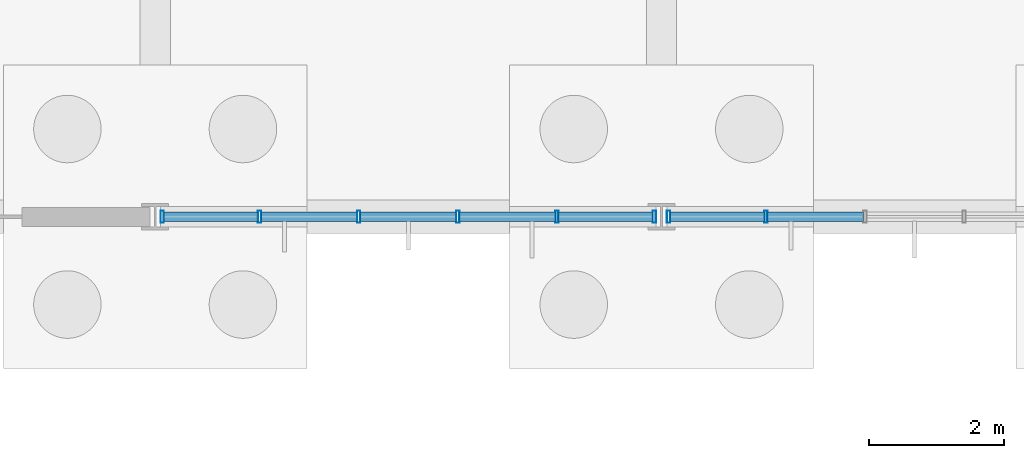
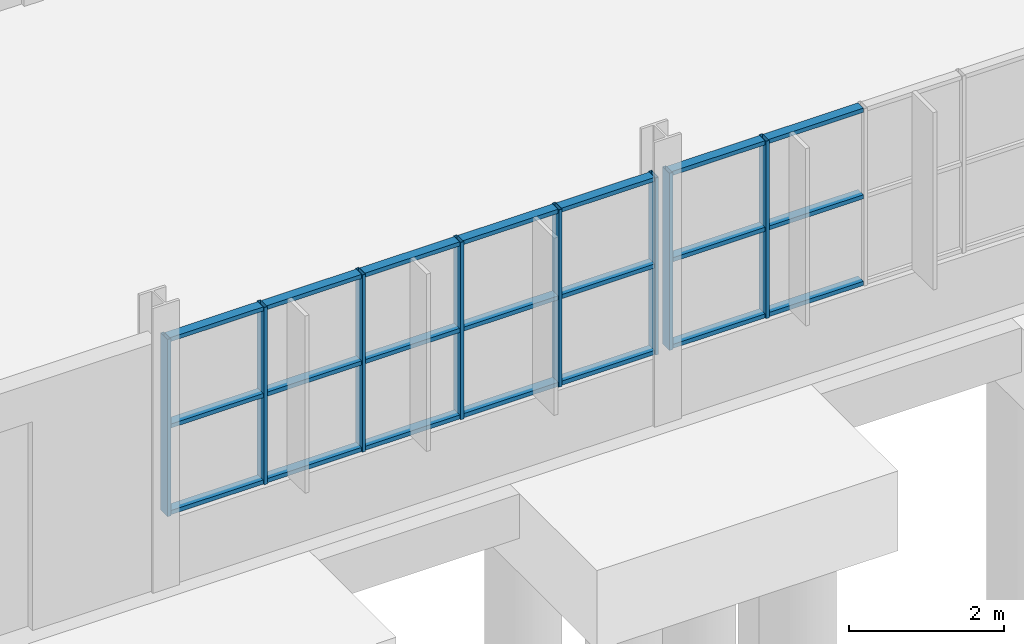
# One storey, part 50 of 136: 29 members, 2 elements without a shape of their own.
"""IFC4 building model written with IfcOpenShell, lengths in metres."""

from ifc_helpers import new_model, si_unit, direction, frame, origin, origin_2d, place, context, subcontext, project, spatial, hollow_rectangle, extrude, material, layer, layer_set, material_profile, profile_set, type_object, element, aggregate, save


model = new_model("IFC4")

# Units and contexts
model_context = context("Model", 3, precision=1e-05, world=origin(), true_north=direction((0.0, 1.0)))
body_context = subcontext(model_context, "Body", "Model", "MODEL_VIEW")
ifc_project = project(units=[si_unit("LENGTHUNIT", "METRE"), si_unit("AREAUNIT", "SQUARE_METRE"), si_unit("VOLUMEUNIT", "CUBIC_METRE"), si_unit("PLANEANGLEUNIT", "RADIAN"), si_unit("MASSUNIT", "GRAM", prefix="KILO")], contexts=[model_context])

# Site, building, storey
site_placement = place(None, origin())
site = spatial("IfcSite", under=ifc_project, at=site_placement, CompositionType="ELEMENT")
building_placement = place(site_placement, origin())
building = spatial("IfcBuilding", under=site, at=building_placement, Name="Solvenia Promenade Tram Depot", CompositionType="ELEMENT")
storey_placement = place(building_placement, origin())
storey = spatial("IfcBuildingStorey", under=building, at=storey_placement, Name="L00", CompositionType="ELEMENT", Elevation=0.0)

# Curtain wall, members
ifc_material = material(Name="Anodized aluminium AW-6063 T6", Category="aluminium")
ifc_layer = layer(ifc_material, 0.14990234375, Name="Anodized aluminium AW-6063 T6", Category="aluminium")
ifc_layer_set = layer_set([ifc_layer], Name="Anodized aluminium AW-6063 T6")
curtain_wall_type = type_object("IfcCurtainWallType", Name="CW-Court-1500", PredefinedType="NOTDEFINED", material=ifc_layer_set)
curtain_wall_1_placement = place(storey_placement, origin())
curtain_wall_1 = element("IfcCurtainWall", 1, at=curtain_wall_1_placement, inside=storey, type_object=curtain_wall_type, Name="Curtain Wall CW-V1S0-02", PredefinedType="NOTDEFINED")
ifc_material_profile_1 = material_profile(ifc_material, hollow_rectangle(XDim=0.179931640625, YDim=0.050048828125, WallThickness=0.00390625, at=origin_2d()), Name="ALU-M2", Category="aluminium")
ifc_profile_set_1 = profile_set([ifc_material_profile_1], Name="Anodized aluminium AW-6063 T6")
member_type_1 = type_object("IfcMemberType", Name="CWM-Mullion-2", PredefinedType="MULLION", material=ifc_profile_set_1)
member_1_placement = place(storey_placement, frame((52.60498046875, 66.0, 1.050048828125), z_axis=(0.0, 0.0, 1.0), x_axis=(0.0, 1.0, 0.0)))
member_1 = element("IfcMember", 2, at=member_1_placement, type_object=member_type_1, Name="CW-5 mullion 1", PredefinedType="MULLION", context=body_context, shape_type="SweptSolid", body=[
    extrude(hollow_rectangle(XDim=0.179931640625, YDim=0.050048828125, WallThickness=0.00390625, at=origin_2d()), origin(), (0.0, 0.0, 1.0), 2.800048828125),
])
member_2_placement = place(storey_placement, frame((54.048095703125, 66.0, 1.050048828125), z_axis=(0.0, 0.0, 1.0), x_axis=(0.0, 1.0, 0.0)))
member_2 = element("IfcMember", 3, at=member_2_placement, type_object=member_type_1, Name="CW-5 mullion 2", PredefinedType="MULLION", context=body_context, shape_type="SweptSolid", body=[
    extrude(hollow_rectangle(XDim=0.179931640625, YDim=0.050048828125, WallThickness=0.00390625, at=origin_2d()), origin(), (0.0, 0.0, 1.0), 2.800048828125),
])
member_3_placement = place(storey_placement, frame((55.51611328125, 66.0, 1.050048828125), z_axis=(0.0, 0.0, 1.0), x_axis=(0.0, 1.0, 0.0)))
member_3 = element("IfcMember", 4, at=member_3_placement, type_object=member_type_1, Name="CW-5 mullion 3", PredefinedType="MULLION", context=body_context, shape_type="SweptSolid", body=[
    extrude(hollow_rectangle(XDim=0.179931640625, YDim=0.050048828125, WallThickness=0.00390625, at=origin_2d()), origin(), (0.0, 0.0, 1.0), 2.800048828125),
])
member_4_placement = place(storey_placement, frame((56.98388671875, 66.0, 1.050048828125), z_axis=(0.0, 0.0, 1.0), x_axis=(0.0, 1.0, 0.0)))
member_4 = element("IfcMember", 5, at=member_4_placement, type_object=member_type_1, Name="CW-5 mullion 4", PredefinedType="MULLION", context=body_context, shape_type="SweptSolid", body=[
    extrude(hollow_rectangle(XDim=0.179931640625, YDim=0.050048828125, WallThickness=0.00390625, at=origin_2d()), origin(), (0.0, 0.0, 1.0), 2.800048828125),
])
member_5_placement = place(storey_placement, frame((58.451904296875, 66.0, 1.050048828125), z_axis=(0.0, 0.0, 1.0), x_axis=(0.0, 1.0, 0.0)))
member_5 = element("IfcMember", 6, at=member_5_placement, type_object=member_type_1, Name="CW-5 mullion 5", PredefinedType="MULLION", context=body_context, shape_type="SweptSolid", body=[
    extrude(hollow_rectangle(XDim=0.179931640625, YDim=0.050048828125, WallThickness=0.00390625, at=origin_2d()), origin(), (0.0, 0.0, 1.0), 2.800048828125),
])
member_6_placement = place(storey_placement, frame((59.89501953125, 66.0, 1.050048828125), z_axis=(0.0, 0.0, 1.0), x_axis=(0.0, 1.0, 0.0)))
member_6 = element("IfcMember", 7, at=member_6_placement, type_object=member_type_1, Name="CW-5 mullion 6", PredefinedType="MULLION", context=body_context, shape_type="SweptSolid", body=[
    extrude(hollow_rectangle(XDim=0.179931640625, YDim=0.050048828125, WallThickness=0.00390625, at=origin_2d()), origin(), (0.0, 0.0, 1.0), 2.800048828125),
])

curtain_wall_2_placement = place(storey_placement, origin())
curtain_wall_2 = element("IfcCurtainWall", 8, at=curtain_wall_2_placement, inside=storey, type_object=curtain_wall_type, Name="Curtain Wall CW-V1S0-03", PredefinedType="NOTDEFINED")
member_7_placement = place(storey_placement, frame((60.10498046875, 66.0, 1.050048828125), z_axis=(0.0, 0.0, 1.0), x_axis=(0.0, 1.0, 0.0)))
member_7 = element("IfcMember", 9, at=member_7_placement, type_object=member_type_1, Name="CW-5 mullion 1", PredefinedType="MULLION", context=body_context, shape_type="SweptSolid", body=[
    extrude(hollow_rectangle(XDim=0.179931640625, YDim=0.050048828125, WallThickness=0.00390625, at=origin_2d()), origin(), (0.0, 0.0, 1.0), 2.800048828125),
])
member_8_placement = place(storey_placement, frame((61.548095703125, 66.0, 1.050048828125), z_axis=(0.0, 0.0, 1.0), x_axis=(0.0, 1.0, 0.0)))
member_8 = element("IfcMember", 10, at=member_8_placement, type_object=member_type_1, Name="CW-5 mullion 2", PredefinedType="MULLION", context=body_context, shape_type="SweptSolid", body=[
    extrude(hollow_rectangle(XDim=0.179931640625, YDim=0.050048828125, WallThickness=0.00390625, at=origin_2d()), origin(), (0.0, 0.0, 1.0), 2.800048828125),
])

# Member
ifc_material_profile_2 = material_profile(ifc_material, hollow_rectangle(XDim=0.139892578125, YDim=0.06494140625, WallThickness=0.00390625, at=origin_2d()), Name="ALU-T2", Category="aluminium")
ifc_profile_set_2 = profile_set([ifc_material_profile_2], Name="Anodized aluminium AW-6063 T6")
member_type_2 = type_object("IfcMemberType", Name="CWT-Transom-2", PredefinedType="USERDEFINED", material=ifc_profile_set_2)
member_9_placement = place(storey_placement, frame((52.6298828125, 66.0, 1.08251953125), z_axis=(1.0, 0.0, 0.0), x_axis=(0.0, 1.0, 0.0)))
member_9 = element("IfcMember", 11, at=member_9_placement, type_object=member_type_2, Name="CW-5 transom 1.1", ObjectType="TRANSOM", PredefinedType="USERDEFINED", context=body_context, shape_type="SweptSolid", body=[
    extrude(hollow_rectangle(XDim=0.139892578125, YDim=0.06494140625, WallThickness=0.00390625, at=origin_2d()), origin(), (0.0, 0.0, 1.0), 1.39306640625),
])

member_10_placement = place(storey_placement, frame((52.6298828125, 66.0, 2.449951171875), z_axis=(1.0, 0.0, 0.0), x_axis=(0.0, 1.0, 0.0)))
member_10 = element("IfcMember", 12, at=member_10_placement, type_object=member_type_2, Name="CW-5 transom 1.2", ObjectType="TRANSOM", PredefinedType="USERDEFINED", context=body_context, shape_type="SweptSolid", body=[
    extrude(hollow_rectangle(XDim=0.139892578125, YDim=0.06494140625, WallThickness=0.00390625, at=origin_2d()), origin(), (0.0, 0.0, 1.0), 1.39306640625),
])

member_11_placement = place(storey_placement, frame((52.6298828125, 66.0, 3.8173828125), z_axis=(1.0, 0.0, 0.0), x_axis=(0.0, 1.0, 0.0)))
member_11 = element("IfcMember", 13, at=member_11_placement, type_object=member_type_2, Name="CW-5 transom 1.3", ObjectType="TRANSOM", PredefinedType="USERDEFINED", context=body_context, shape_type="SweptSolid", body=[
    extrude(hollow_rectangle(XDim=0.139892578125, YDim=0.06494140625, WallThickness=0.00390625, at=origin_2d()), origin(), (0.0, 0.0, 1.0), 1.39306640625),
])

member_12_placement = place(storey_placement, frame((54.072998046875, 66.0, 1.08251953125), z_axis=(1.0, 0.0, 0.0), x_axis=(0.0, 1.0, 0.0)))
member_12 = element("IfcMember", 14, at=member_12_placement, type_object=member_type_2, Name="CW-5 transom 2.1", ObjectType="TRANSOM", PredefinedType="USERDEFINED", context=body_context, shape_type="SweptSolid", body=[
    extrude(hollow_rectangle(XDim=0.139892578125, YDim=0.06494140625, WallThickness=0.00390625, at=origin_2d()), origin(), (0.0, 0.0, 1.0), 1.41796875),
])

member_13_placement = place(storey_placement, frame((54.072998046875, 66.0, 2.449951171875), z_axis=(1.0, 0.0, 0.0), x_axis=(0.0, 1.0, 0.0)))
member_13 = element("IfcMember", 15, at=member_13_placement, type_object=member_type_2, Name="CW-5 transom 2.2", ObjectType="TRANSOM", PredefinedType="USERDEFINED", context=body_context, shape_type="SweptSolid", body=[
    extrude(hollow_rectangle(XDim=0.139892578125, YDim=0.06494140625, WallThickness=0.00390625, at=origin_2d()), origin(), (0.0, 0.0, 1.0), 1.41796875),
])

member_14_placement = place(storey_placement, frame((54.072998046875, 66.0, 3.8173828125), z_axis=(1.0, 0.0, 0.0), x_axis=(0.0, 1.0, 0.0)))
member_14 = element("IfcMember", 16, at=member_14_placement, type_object=member_type_2, Name="CW-5 transom 2.3", ObjectType="TRANSOM", PredefinedType="USERDEFINED", context=body_context, shape_type="SweptSolid", body=[
    extrude(hollow_rectangle(XDim=0.139892578125, YDim=0.06494140625, WallThickness=0.00390625, at=origin_2d()), origin(), (0.0, 0.0, 1.0), 1.41796875),
])

member_15_placement = place(storey_placement, frame((55.541015625, 66.0, 1.08251953125), z_axis=(1.0, 0.0, 0.0), x_axis=(0.0, 1.0, 0.0)))
member_15 = element("IfcMember", 17, at=member_15_placement, type_object=member_type_2, Name="CW-5 transom 3.1", ObjectType="TRANSOM", PredefinedType="USERDEFINED", context=body_context, shape_type="SweptSolid", body=[
    extrude(hollow_rectangle(XDim=0.139892578125, YDim=0.06494140625, WallThickness=0.00390625, at=origin_2d()), origin(), (0.0, 0.0, 1.0), 1.41796875),
])

member_16_placement = place(storey_placement, frame((55.541015625, 66.0, 2.449951171875), z_axis=(1.0, 0.0, 0.0), x_axis=(0.0, 1.0, 0.0)))
member_16 = element("IfcMember", 18, at=member_16_placement, type_object=member_type_2, Name="CW-5 transom 3.2", ObjectType="TRANSOM", PredefinedType="USERDEFINED", context=body_context, shape_type="SweptSolid", body=[
    extrude(hollow_rectangle(XDim=0.139892578125, YDim=0.06494140625, WallThickness=0.00390625, at=origin_2d()), origin(), (0.0, 0.0, 1.0), 1.41796875),
])

member_17_placement = place(storey_placement, frame((55.541015625, 66.0, 3.8173828125), z_axis=(1.0, 0.0, 0.0), x_axis=(0.0, 1.0, 0.0)))
member_17 = element("IfcMember", 19, at=member_17_placement, type_object=member_type_2, Name="CW-5 transom 3.3", ObjectType="TRANSOM", PredefinedType="USERDEFINED", context=body_context, shape_type="SweptSolid", body=[
    extrude(hollow_rectangle(XDim=0.139892578125, YDim=0.06494140625, WallThickness=0.00390625, at=origin_2d()), origin(), (0.0, 0.0, 1.0), 1.41796875),
])

member_18_placement = place(storey_placement, frame((57.009033203125, 66.0, 1.08251953125), z_axis=(1.0, 0.0, 0.0), x_axis=(0.0, 1.0, 0.0)))
member_18 = element("IfcMember", 20, at=member_18_placement, type_object=member_type_2, Name="CW-5 transom 4.1", ObjectType="TRANSOM", PredefinedType="USERDEFINED", context=body_context, shape_type="SweptSolid", body=[
    extrude(hollow_rectangle(XDim=0.139892578125, YDim=0.06494140625, WallThickness=0.00390625, at=origin_2d()), origin(), (0.0, 0.0, 1.0), 1.41796875),
])

member_19_placement = place(storey_placement, frame((57.009033203125, 66.0, 2.449951171875), z_axis=(1.0, 0.0, 0.0), x_axis=(0.0, 1.0, 0.0)))
member_19 = element("IfcMember", 21, at=member_19_placement, type_object=member_type_2, Name="CW-5 transom 4.2", ObjectType="TRANSOM", PredefinedType="USERDEFINED", context=body_context, shape_type="SweptSolid", body=[
    extrude(hollow_rectangle(XDim=0.139892578125, YDim=0.06494140625, WallThickness=0.00390625, at=origin_2d()), origin(), (0.0, 0.0, 1.0), 1.41796875),
])

member_20_placement = place(storey_placement, frame((57.009033203125, 66.0, 3.8173828125), z_axis=(1.0, 0.0, 0.0), x_axis=(0.0, 1.0, 0.0)))
member_20 = element("IfcMember", 22, at=member_20_placement, type_object=member_type_2, Name="CW-5 transom 4.3", ObjectType="TRANSOM", PredefinedType="USERDEFINED", context=body_context, shape_type="SweptSolid", body=[
    extrude(hollow_rectangle(XDim=0.139892578125, YDim=0.06494140625, WallThickness=0.00390625, at=origin_2d()), origin(), (0.0, 0.0, 1.0), 1.41796875),
])

member_21_placement = place(storey_placement, frame((58.47705078125, 66.0, 1.08251953125), z_axis=(1.0, 0.0, 0.0), x_axis=(0.0, 1.0, 0.0)))
member_21 = element("IfcMember", 23, at=member_21_placement, type_object=member_type_2, Name="CW-5 transom 5.1", ObjectType="TRANSOM", PredefinedType="USERDEFINED", context=body_context, shape_type="SweptSolid", body=[
    extrude(hollow_rectangle(XDim=0.139892578125, YDim=0.06494140625, WallThickness=0.00390625, at=origin_2d()), origin(), (0.0, 0.0, 1.0), 1.39306640625),
])

member_22_placement = place(storey_placement, frame((58.47705078125, 66.0, 2.449951171875), z_axis=(1.0, 0.0, 0.0), x_axis=(0.0, 1.0, 0.0)))
member_22 = element("IfcMember", 24, at=member_22_placement, type_object=member_type_2, Name="CW-5 transom 5.2", ObjectType="TRANSOM", PredefinedType="USERDEFINED", context=body_context, shape_type="SweptSolid", body=[
    extrude(hollow_rectangle(XDim=0.139892578125, YDim=0.06494140625, WallThickness=0.00390625, at=origin_2d()), origin(), (0.0, 0.0, 1.0), 1.39306640625),
])

member_23_placement = place(storey_placement, frame((58.47705078125, 66.0, 3.8173828125), z_axis=(1.0, 0.0, 0.0), x_axis=(0.0, 1.0, 0.0)))
member_23 = element("IfcMember", 25, at=member_23_placement, type_object=member_type_2, Name="CW-5 transom 5.3", ObjectType="TRANSOM", PredefinedType="USERDEFINED", context=body_context, shape_type="SweptSolid", body=[
    extrude(hollow_rectangle(XDim=0.139892578125, YDim=0.06494140625, WallThickness=0.00390625, at=origin_2d()), origin(), (0.0, 0.0, 1.0), 1.39306640625),
])

aggregate(curtain_wall_1, [member_1, member_2, member_3, member_4, member_5, member_6, member_9, member_10, member_11, member_12, member_13, member_14, member_15, member_16, member_17, member_18, member_19, member_20, member_21, member_22, member_23])

member_24_placement = place(storey_placement, frame((60.1298828125, 66.0, 1.08251953125), z_axis=(1.0, 0.0, 0.0), x_axis=(0.0, 1.0, 0.0)))
member_24 = element("IfcMember", 26, at=member_24_placement, type_object=member_type_2, Name="CW-5 transom 1.1", ObjectType="TRANSOM", PredefinedType="USERDEFINED", context=body_context, shape_type="SweptSolid", body=[
    extrude(hollow_rectangle(XDim=0.139892578125, YDim=0.06494140625, WallThickness=0.00390625, at=origin_2d()), origin(), (0.0, 0.0, 1.0), 1.39306640625),
])

member_25_placement = place(storey_placement, frame((60.1298828125, 66.0, 2.449951171875), z_axis=(1.0, 0.0, 0.0), x_axis=(0.0, 1.0, 0.0)))
member_25 = element("IfcMember", 27, at=member_25_placement, type_object=member_type_2, Name="CW-5 transom 1.2", ObjectType="TRANSOM", PredefinedType="USERDEFINED", context=body_context, shape_type="SweptSolid", body=[
    extrude(hollow_rectangle(XDim=0.139892578125, YDim=0.06494140625, WallThickness=0.00390625, at=origin_2d()), origin(), (0.0, 0.0, 1.0), 1.39306640625),
])

member_26_placement = place(storey_placement, frame((60.1298828125, 66.0, 3.8173828125), z_axis=(1.0, 0.0, 0.0), x_axis=(0.0, 1.0, 0.0)))
member_26 = element("IfcMember", 28, at=member_26_placement, type_object=member_type_2, Name="CW-5 transom 1.3", ObjectType="TRANSOM", PredefinedType="USERDEFINED", context=body_context, shape_type="SweptSolid", body=[
    extrude(hollow_rectangle(XDim=0.139892578125, YDim=0.06494140625, WallThickness=0.00390625, at=origin_2d()), origin(), (0.0, 0.0, 1.0), 1.39306640625),
])

member_27_placement = place(storey_placement, frame((61.572998046875, 66.0, 1.08251953125), z_axis=(1.0, 0.0, 0.0), x_axis=(0.0, 1.0, 0.0)))
member_27 = element("IfcMember", 29, at=member_27_placement, type_object=member_type_2, Name="CW-5 transom 2.1", ObjectType="TRANSOM", PredefinedType="USERDEFINED", context=body_context, shape_type="SweptSolid", body=[
    extrude(hollow_rectangle(XDim=0.139892578125, YDim=0.06494140625, WallThickness=0.00390625, at=origin_2d()), origin(), (0.0, 0.0, 1.0), 1.41796875),
])

member_28_placement = place(storey_placement, frame((61.572998046875, 66.0, 2.449951171875), z_axis=(1.0, 0.0, 0.0), x_axis=(0.0, 1.0, 0.0)))
member_28 = element("IfcMember", 30, at=member_28_placement, type_object=member_type_2, Name="CW-5 transom 2.2", ObjectType="TRANSOM", PredefinedType="USERDEFINED", context=body_context, shape_type="SweptSolid", body=[
    extrude(hollow_rectangle(XDim=0.139892578125, YDim=0.06494140625, WallThickness=0.00390625, at=origin_2d()), origin(), (0.0, 0.0, 1.0), 1.41796875),
])

member_29_placement = place(storey_placement, frame((61.572998046875, 66.0, 3.8173828125), z_axis=(1.0, 0.0, 0.0), x_axis=(0.0, 1.0, 0.0)))
member_29 = element("IfcMember", 31, at=member_29_placement, type_object=member_type_2, Name="CW-5 transom 2.3", ObjectType="TRANSOM", PredefinedType="USERDEFINED", context=body_context, shape_type="SweptSolid", body=[
    extrude(hollow_rectangle(XDim=0.139892578125, YDim=0.06494140625, WallThickness=0.00390625, at=origin_2d()), origin(), (0.0, 0.0, 1.0), 1.41796875),
])

aggregate(curtain_wall_2, [member_7, member_8, member_24, member_25, member_26, member_27, member_28, member_29])

save(model, "model.ifc")
